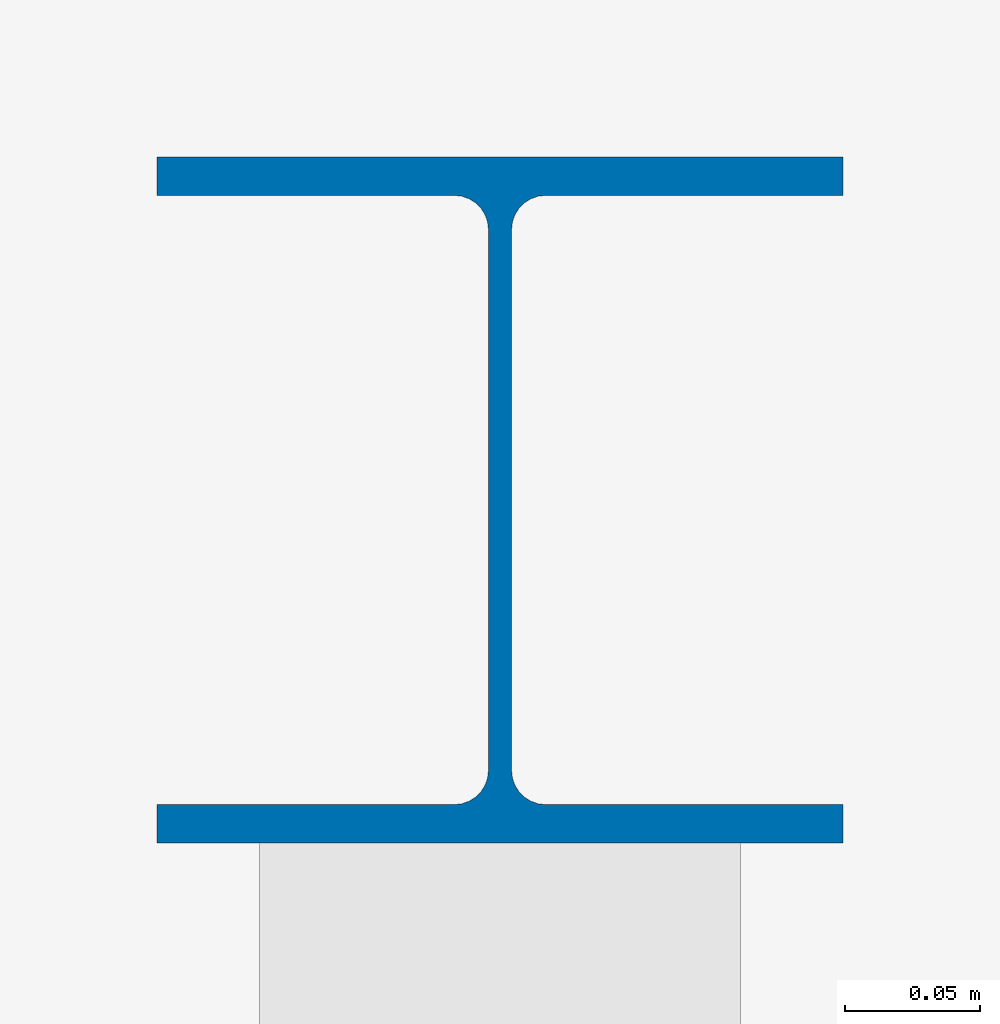
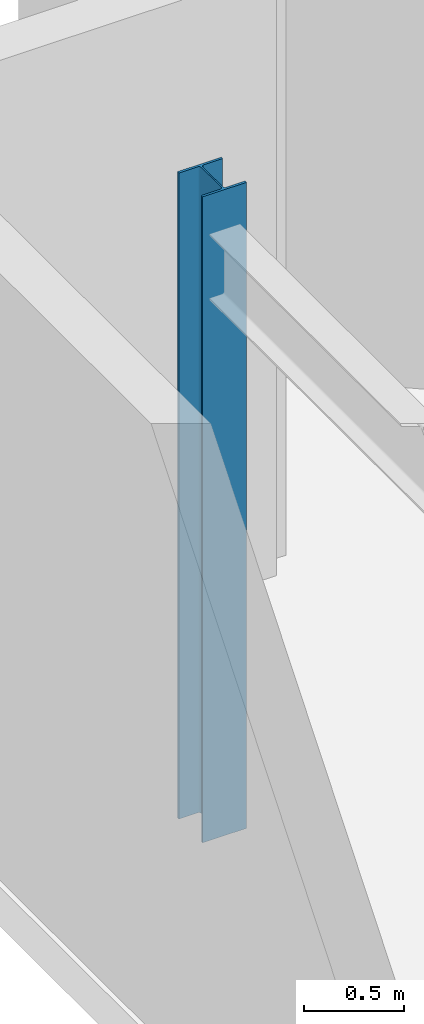
# One storey, part 4 of 16: 1 column.
"""IFC4 building model written with IfcOpenShell, lengths in metres."""

from ifc_helpers import new_model, si_unit, direction, frame, origin, origin_2d, place, context, subcontext, project, spatial, i_section, extrude, material, material_profile, profile_set, type_object, element, save


model = new_model("IFC4")

# Units and contexts
model_context = context("Model", 3, precision=1e-05, world=origin(), true_north=direction((0.0, 1.0)))
body_context = subcontext(model_context, "Body", "Model", "MODEL_VIEW")
ifc_project = project(units=[si_unit("LENGTHUNIT", "METRE"), si_unit("AREAUNIT", "SQUARE_METRE"), si_unit("VOLUMEUNIT", "CUBIC_METRE"), si_unit("PLANEANGLEUNIT", "RADIAN"), si_unit("MASSUNIT", "GRAM", prefix="KILO")], contexts=[model_context])

# Site, building, storey
site_placement = place(None, origin())
site = spatial("IfcSite", under=ifc_project, at=site_placement, CompositionType="ELEMENT")
building_placement = place(site_placement, origin())
building = spatial("IfcBuilding", under=site, at=building_placement, Name="Varnakote Quay Hospital", CompositionType="ELEMENT")
storey_placement = place(building_placement, frame((0.0, 0.0, 268.39990234375)))
storey = spatial("IfcBuildingStorey", under=building, at=storey_placement, Name="L66", CompositionType="ELEMENT", Elevation=268.39990234375)

# Column
ifc_material = material(Name="Structural steel AS/NZS 3679.1 Grade 350 L0 (fy 340 MPa)", Category="steel")
ifc_material_profile = material_profile(ifc_material, i_section(OverallWidth=0.25390625, OverallDepth=0.25390625, WebThickness=0.008544921875, FlangeThickness=0.01416015625, FilletRadius=0.0126953125, at=origin_2d()), Name="250UC72.9")
ifc_profile_set = profile_set([ifc_material_profile], Name="Structural steel AS/NZS 3679.1 Grade 350 L0 (fy 340 MPa)")
column_type = type_object("IfcColumnType", Name="COL-STL-250UC72-9", PredefinedType="COLUMN", material=ifc_profile_set)
column_placement = place(storey_placement, frame((1.199951171875, 37.199951171875, 0.0), z_axis=(0.0, 0.0, 1.0), x_axis=(1.0, 0.0, 0.0)))
element("IfcColumn", 1, at=column_placement, inside=storey, type_object=column_type, Name="L66 Structural Column C-1-37", PredefinedType="COLUMN", context=body_context, shape_type="SweptSolid", body=[
    extrude(i_section(OverallWidth=0.25390625, OverallDepth=0.25390625, WebThickness=0.008544921875, FlangeThickness=0.01416015625, FilletRadius=0.0126953125, at=origin_2d()), origin(), (0.0, 0.0, 1.0), 3.9501953125),
])

save(model, "model.ifc")
